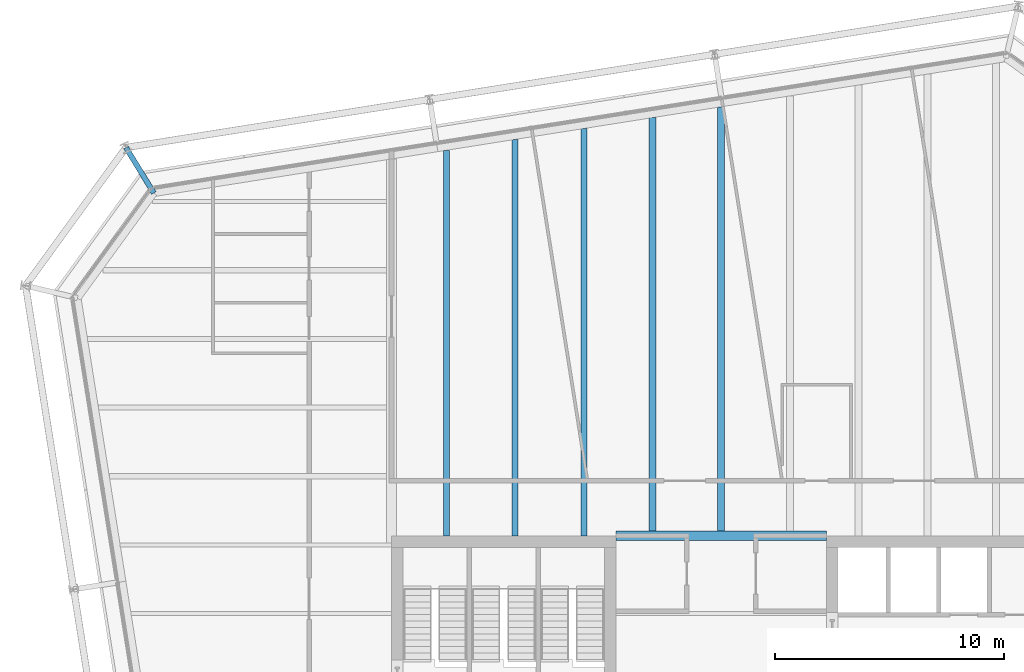
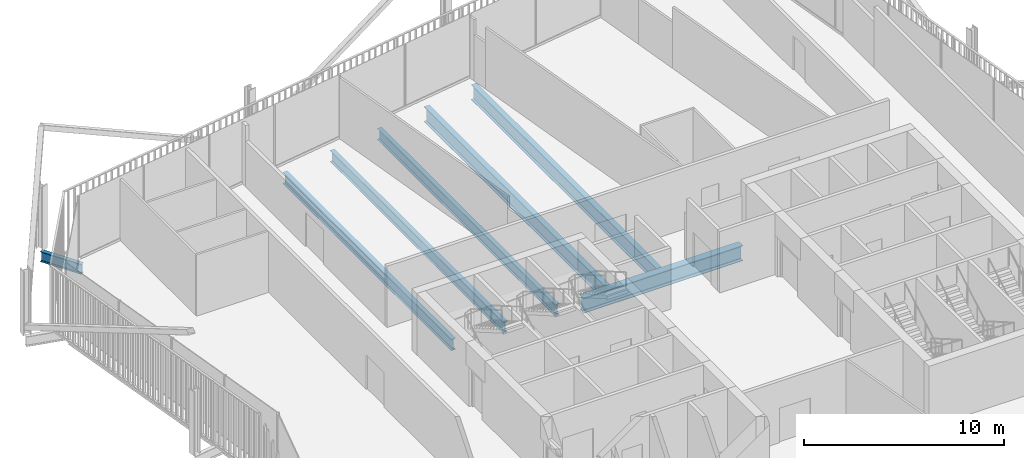
# One storey, part 12 of 21: 7 beams.
"""IFC4 building model written with IfcOpenShell, lengths in metres."""

import ifcopenshell
import ifcopenshell.guid

model = None  # the IFC model being written
_history = None  # IfcOwnerHistory: only IFC2X3 demands one
_inside = {}  # id of a spatial element -> (the spatial element, [elements in it])
_under = {}  # id of a project, library or spatial element -> (it, [spatial elements below it])
_declared = {}  # id of a project -> (the project, [libraries it declares])
_typed = {}  # id of a type object -> (the type object, [elements of that type])
_made_of = {}  # id of a material, layer set ... -> (it, [elements and type objects made of it])


def new_model(schema):
    """Start an empty IFC model of exactly this schema.

    Asked for "IFC4X3", IfcOpenShell would pick the latest addendum, in which some entities
    have other attributes; the version numbers below select the first issue.
    IFC2X3 requires an IfcOwnerHistory on every rooted entity: one is made here for all.
    """
    global model, _history
    if schema == "IFC4X3":
        model = ifcopenshell.file(schema_version=(4, 3, 0, 0))
    else:
        model = ifcopenshell.file(schema=schema)
    _inside.clear()
    _under.clear()
    _declared.clear()
    _typed.clear()
    _made_of.clear()
    _history = None
    if model.schema == "IFC2X3":
        org = make("IfcOrganization", Name="unknown")
        user = make(
            "IfcPersonAndOrganization",
            ThePerson=make("IfcPerson", FamilyName="unknown"),
            TheOrganization=org,
        )
        app = make(
            "IfcApplication",
            ApplicationDeveloper=org,
            Version="unknown",
            ApplicationFullName="unknown",
            ApplicationIdentifier="unknown",
        )
        _history = make(
            "IfcOwnerHistory",
            OwningUser=user,
            OwningApplication=app,
            ChangeAction="ADDED",
            CreationDate=0,
        )
    return model


def make(cls, **values):
    """One entity of the class cls with the attributes given. An attribute that is None is left unset."""
    return model.create_entity(
        cls, **{name: value for name, value in values.items() if value is not None}
    )


def rooted(cls, **values):
    """An entity with a GlobalId (a new one), such as an element, a storey or a relation."""
    return make(cls, GlobalId=ifcopenshell.guid.new(), OwnerHistory=_history, **values)


def si_unit(unit_type, name, prefix=None):
    """IfcSIUnit, for example si_unit("LENGTHUNIT", "METRE", prefix="MILLI")."""
    return make("IfcSIUnit", UnitType=unit_type, Prefix=prefix, Name=name)


def assignment(units):
    """IfcUnitAssignment: the units of a project."""
    return None if units is None else make("IfcUnitAssignment", Units=units)


def point(xyz):
    """IfcCartesianPoint."""
    return None if xyz is None else make("IfcCartesianPoint", Coordinates=xyz)


def direction(xyz):
    """IfcDirection."""
    return None if xyz is None else make("IfcDirection", DirectionRatios=xyz)


def frame(location, z_axis=None, x_axis=None):
    """IfcAxis2Placement3D, a coordinate frame: its origin and axes. An axis left out is left unset."""
    return make(
        "IfcAxis2Placement3D",
        Location=point(location),
        Axis=direction(z_axis),
        RefDirection=direction(x_axis),
    )


def frame_2d(location, x_axis=None):
    """IfcAxis2Placement2D, a coordinate frame in the plane: its origin and x axis."""
    return make(
        "IfcAxis2Placement2D", Location=point(location), RefDirection=direction(x_axis)
    )


def origin():
    """The frame at (0, 0, 0) with its axes left unset."""
    return frame((0.0, 0.0, 0.0))


def origin_2d():
    """The frame at (0, 0) in the plane with its x axis left unset."""
    return frame_2d((0.0, 0.0))


def place(relative_to, where):
    """IfcLocalPlacement: puts the frame where relative to a parent placement (None: the world)."""
    return make(
        "IfcLocalPlacement", PlacementRelTo=relative_to, RelativePlacement=where
    )


def context(
    kind, dimensions, precision=None, world=None, true_north=None, identifier=None
):
    """IfcGeometricRepresentationContext, for example the 3D "Model" context."""
    return make(
        "IfcGeometricRepresentationContext",
        ContextIdentifier=identifier,
        ContextType=kind,
        CoordinateSpaceDimension=dimensions,
        Precision=precision,
        WorldCoordinateSystem=world,
        TrueNorth=true_north,
    )


def subcontext(parent, identifier, kind, view, scale=None):
    """IfcGeometricRepresentationSubContext, for example "Body" below "Model"."""
    return make(
        "IfcGeometricRepresentationSubContext",
        ContextIdentifier=identifier,
        ContextType=kind,
        ParentContext=parent,
        TargetScale=scale,
        TargetView=view,
    )


def project(units=None, contexts=None):
    """IfcProject with its units and contexts."""
    return rooted(
        "IfcProject",
        Name="project",
        RepresentationContexts=contexts,
        UnitsInContext=assignment(units),
    )


def spatial(cls, under=None, at=None, **own):
    """A site, building, storey or space (cls), placed at a placement, below another one or the project."""
    s = rooted(cls, ObjectPlacement=at, **own)
    if under is not None:
        _under.setdefault(under.id(), (under, []))[1].append(s)
    return s


def profile(cls, at=None, kind="AREA", **sizes):
    """A parametric profile (cls). Its sizes go by their IFC names, for example OverallWidth=200.0."""
    return make(cls, ProfileType=kind, Position=at, **sizes)


def i_section(**sizes):
    """IfcIShapeProfileDef."""
    return profile("IfcIShapeProfileDef", **sizes)


def extrude(swept, where, along, depth):
    """IfcExtrudedAreaSolid: the profile swept, set in the frame where, extruded along a direction by depth."""
    return make(
        "IfcExtrudedAreaSolid",
        SweptArea=swept,
        Position=where,
        ExtrudedDirection=direction(along),
        Depth=depth,
    )


def shape(context_of_items, identifier, shape_type, items):
    """IfcShapeRepresentation: the items that make up one representation, for example the "Body"."""
    return make(
        "IfcShapeRepresentation",
        ContextOfItems=context_of_items,
        RepresentationIdentifier=identifier,
        RepresentationType=shape_type,
        Items=items,
    )


def material(Name=None, Category=None):
    """IfcMaterial."""
    return make("IfcMaterial", Name=Name, Category=Category)


def material_profile(
    of_material, cross_section, Name=None, Category=None, Priority=None
):
    """IfcMaterialProfile: a cross section and its material."""
    return make(
        "IfcMaterialProfile",
        Name=Name,
        Material=of_material,
        Profile=cross_section,
        Priority=Priority,
        Category=Category,
    )


def profile_set(profiles, Name=None, composite=None):
    """IfcMaterialProfileSet."""
    return make(
        "IfcMaterialProfileSet",
        Name=Name,
        MaterialProfiles=profiles,
        CompositeProfile=composite,
    )


def made_of(thing, what):
    """Note that an element or type object is made of a material, layer set ...; save() writes the relation."""
    if what is not None:
        _made_of.setdefault(what.id(), (what, []))[1].append(thing)
    return thing


def type_object(cls, material=None, **own):
    """A type object (cls), such as IfcWallType, which elements share."""
    return made_of(rooted(cls, **own), material)


def element(
    cls,
    number,
    at=None,
    inside=None,
    cuts=None,
    type_object=None,
    material=None,
    context=None,
    identifier="Body",
    shape_type=None,
    held_by="IfcProductDefinitionShape",
    body=None,
    shapes=None,
    **own,
):
    """One element of the class cls, such as IfcWall. Its Tag is "e" and its number.

    at: its placement. inside: the storey or other place that contains it. cuts: it is an
    opening in that element (IfcRelVoidsElement). A single representation is given by context,
    identifier, shape_type and body (its items); several are given by shapes. held_by: the class
    of the entity that holds the representations. save() writes the other relations.
    """
    e = rooted(cls, Tag="e%d" % number, ObjectPlacement=at, **own)
    if body is not None:
        shapes = [shape(context, identifier, shape_type, body)]
    if shapes is not None:
        e.Representation = make(held_by, Representations=shapes)
    if inside is not None:
        _inside.setdefault(inside.id(), (inside, []))[1].append(e)
    if cuts is not None:
        rooted(
            "IfcRelVoidsElement", RelatingBuildingElement=cuts, RelatedOpeningElement=e
        )
    if type_object is not None:
        _typed.setdefault(type_object.id(), (type_object, []))[1].append(e)
    return made_of(e, material)


def aggregate(whole, parts):
    """IfcRelAggregates: a whole, such as a stair, and the parts it consists of."""
    return rooted("IfcRelAggregates", RelatingObject=whole, RelatedObjects=parts)


def save(model, path):
    """Write the relations noted so far, then the file.

    IfcRelAggregates (storeys below a building ...), IfcRelContainedInSpatialStructure (elements
    in a storey), IfcRelDefinesByType, IfcRelAssociatesMaterial and IfcRelDeclares: one each for
    every whole, place, type object, material and project.
    """
    for whole, parts in _under.values():
        aggregate(whole, parts)
    for where, things in _inside.values():
        rooted(
            "IfcRelContainedInSpatialStructure",
            RelatedElements=things,
            RelatingStructure=where,
        )
    for kind, things in _typed.values():
        rooted("IfcRelDefinesByType", RelatedObjects=things, RelatingType=kind)
    for what, things in _made_of.values():
        rooted("IfcRelAssociatesMaterial", RelatedObjects=things, RelatingMaterial=what)
    for by, libraries in _declared.values():
        rooted("IfcRelDeclares", RelatingContext=by, RelatedDefinitions=libraries)
    model.write(path)


model = new_model("IFC4")

# Units and contexts
model_context = context("Model", 3, precision=1e-05, world=origin(), true_north=direction((0.0, 1.0)))
body_context = subcontext(model_context, "Body", "Model", "MODEL_VIEW")
ifc_project = project(units=[si_unit("LENGTHUNIT", "METRE"), si_unit("AREAUNIT", "SQUARE_METRE"), si_unit("VOLUMEUNIT", "CUBIC_METRE"), si_unit("PLANEANGLEUNIT", "RADIAN"), si_unit("MASSUNIT", "GRAM", prefix="KILO")], contexts=[model_context])

# Site, building, storey
site_placement = place(None, origin())
site = spatial("IfcSite", under=ifc_project, at=site_placement, CompositionType="ELEMENT")
building_placement = place(site_placement, origin())
building = spatial("IfcBuilding", under=site, at=building_placement, Name="Millrace Tower", CompositionType="ELEMENT")
storey_placement = place(building_placement, frame((0.0, 0.0, 247.39990234375)))
storey = spatial("IfcBuildingStorey", under=building, at=storey_placement, Name="L56", CompositionType="ELEMENT", Elevation=247.39990234375)

# Beams
ifc_material_1 = material(Name="Steel ASTM A992 Grade 50", Category="steel")
ifc_material_profile_1 = material_profile(ifc_material_1, i_section(OverallWidth=0.256591796875, OverallDepth=0.693359375, WebThickness=0.014404296875, FlangeThickness=0.023681640625, FilletRadius=0.01513671875, at=origin_2d()))
ifc_profile_set_1 = profile_set([ifc_material_profile_1], Name="Steel ASTM A992 Grade 50")
beam_type_1 = type_object("IfcBeamType", Name="Floor beam W27x114", PredefinedType="JOIST", material=ifc_profile_set_1)
beam_1_placement = place(storey_placement, frame((-12.0, 9.39990234375, -0.506591796875), z_axis=(0.0, 1.0, 0.0), x_axis=(-1.0, 0.0, 0.0)))
element("IfcBeam", 1, at=beam_1_placement, inside=storey, type_object=beam_type_1, Name="BM-D-L56-S1-S036", PredefinedType="JOIST", context=body_context, shape_type="SweptSolid", body=[
    extrude(i_section(OverallWidth=0.256591796875, OverallDepth=0.693359375, WebThickness=0.014404296875, FlangeThickness=0.023681640625, FilletRadius=0.01513671875, at=origin_2d()), origin(), (0.0, 0.0, 1.0), 16.8369140625),
])
beam_2_placement = place(storey_placement, frame((-9.0, 9.39990234375, -0.506591796875), z_axis=(0.0, 1.0, 0.0), x_axis=(-1.0, 0.0, 0.0)))
element("IfcBeam", 2, at=beam_2_placement, inside=storey, type_object=beam_type_1, Name="BM-D-L56-S1-S038", PredefinedType="JOIST", context=body_context, shape_type="SweptSolid", body=[
    extrude(i_section(OverallWidth=0.256591796875, OverallDepth=0.693359375, WebThickness=0.014404296875, FlangeThickness=0.023681640625, FilletRadius=0.01513671875, at=origin_2d()), origin(), (0.0, 0.0, 1.0), 17.31201171875),
])
beam_3_placement = place(storey_placement, frame((-6.0, 9.39990234375, -0.506591796875), z_axis=(0.0, 1.0, 0.0), x_axis=(-1.0, 0.0, 0.0)))
element("IfcBeam", 3, at=beam_3_placement, inside=storey, type_object=beam_type_1, Name="BM-D-L56-S1-S040", PredefinedType="JOIST", context=body_context, shape_type="SweptSolid", body=[
    extrude(i_section(OverallWidth=0.256591796875, OverallDepth=0.693359375, WebThickness=0.014404296875, FlangeThickness=0.023681640625, FilletRadius=0.01513671875, at=origin_2d()), origin(), (0.0, 0.0, 1.0), 17.787109375),
])
ifc_material_2 = material(Name="Steel ASTM A992 Grade 50", Category="steel")
ifc_material_profile_2 = material_profile(ifc_material_2, i_section(OverallWidth=0.307373046875, OverallDepth=0.927001953125, WebThickness=0.01953125, FlangeThickness=0.031982421875, FilletRadius=0.01904296875, at=origin_2d()))
ifc_profile_set_2 = profile_set([ifc_material_profile_2], Name="Steel ASTM A992 Grade 50")
beam_type_2 = type_object("IfcBeamType", Name="Floor beam W36x194", PredefinedType="JOIST", material=ifc_profile_set_2)
beam_4_placement = place(storey_placement, frame((-3.0, 9.609619140625, -0.62353515625), z_axis=(0.0, 1.0, 0.0), x_axis=(-1.0, 0.0, 0.0)))
element("IfcBeam", 4, at=beam_4_placement, inside=storey, type_object=beam_type_2, Name="BM-D-L56-S1-S042", PredefinedType="JOIST", context=body_context, shape_type="SweptSolid", body=[
    extrude(i_section(OverallWidth=0.307373046875, OverallDepth=0.927001953125, WebThickness=0.01953125, FlangeThickness=0.031982421875, FilletRadius=0.01904296875, at=origin_2d()), origin(), (0.0, 0.0, 1.0), 18.052490234375),
])
beam_5_placement = place(storey_placement, frame((0.0, 9.609619140625, -0.62353515625), z_axis=(0.0, 1.0, 0.0), x_axis=(-1.0, 0.0, 0.0)))
element("IfcBeam", 5, at=beam_5_placement, inside=storey, type_object=beam_type_2, Name="BM-D-L56-S1-S044", PredefinedType="JOIST", context=body_context, shape_type="SweptSolid", body=[
    extrude(i_section(OverallWidth=0.307373046875, OverallDepth=0.927001953125, WebThickness=0.01953125, FlangeThickness=0.031982421875, FilletRadius=0.01904296875, at=origin_2d()), origin(), (0.0, 0.0, 1.0), 18.527587890625),
])
ifc_material_3 = material(Name="Steel ASTM A992 Grade 50", Category="steel")
ifc_material_profile_3 = material_profile(ifc_material_3, i_section(OverallWidth=0.419189453125, OverallDepth=0.927001953125, WebThickness=0.019287109375, FlangeThickness=0.031982421875, FilletRadius=0.024169921875, at=origin_2d()))
ifc_profile_set_3 = profile_set([ifc_material_profile_3], Name="Steel ASTM A992 Grade 50")
beam_type_3 = type_object("IfcBeamType", Name="Girder short span W36x231", PredefinedType="BEAM", material=ifc_profile_set_3)
beam_6_placement = place(storey_placement, frame((-4.60009765625, 9.39990234375, -0.62353515625), z_axis=(1.0, 0.0, 0.0), x_axis=(0.0, 1.0, 0.0)))
element("IfcBeam", 6, at=beam_6_placement, inside=storey, type_object=beam_type_3, Name="BM-D-L56-S1-G058", PredefinedType="BEAM", context=body_context, shape_type="SweptSolid", body=[
    extrude(i_section(OverallWidth=0.419189453125, OverallDepth=0.927001953125, WebThickness=0.019287109375, FlangeThickness=0.031982421875, FilletRadius=0.024169921875, at=origin_2d()), origin(), (0.0, 0.0, 1.0), 9.2001953125),
])
ifc_material_4 = material(Name="Steel ASTM A992 Grade 50", Category="steel")
ifc_material_profile_4 = material_profile(ifc_material_4, i_section(OverallWidth=0.23046875, OverallDepth=0.6171875, WebThickness=0.01318359375, FlangeThickness=0.022216796875, FilletRadius=0.012939453125, at=origin_2d()))
ifc_profile_set_4 = profile_set([ifc_material_profile_4], Name="Steel ASTM A992 Grade 50")
beam_type_4 = type_object("IfcBeamType", Name="Link beam W24x94", PredefinedType="BEAM", material=ifc_profile_set_4)
beam_7_placement = place(storey_placement, frame((-24.7783203125, 24.368408203125, -0.468505859375), z_axis=(-0.522512938711, 0.852631355792, 0.0), x_axis=(-0.852631355792, -0.522512938711, 0.0)))
element("IfcBeam", 7, at=beam_7_placement, inside=storey, type_object=beam_type_4, Name="LNK-D-L56-S1-05", PredefinedType="BEAM", context=body_context, shape_type="SweptSolid", body=[
    extrude(i_section(OverallWidth=0.23046875, OverallDepth=0.6171875, WebThickness=0.01318359375, FlangeThickness=0.022216796875, FilletRadius=0.012939453125, at=origin_2d()), origin(), (0.0, 0.0, 1.0), 2.3310546875),
])

save(model, "model.ifc")
